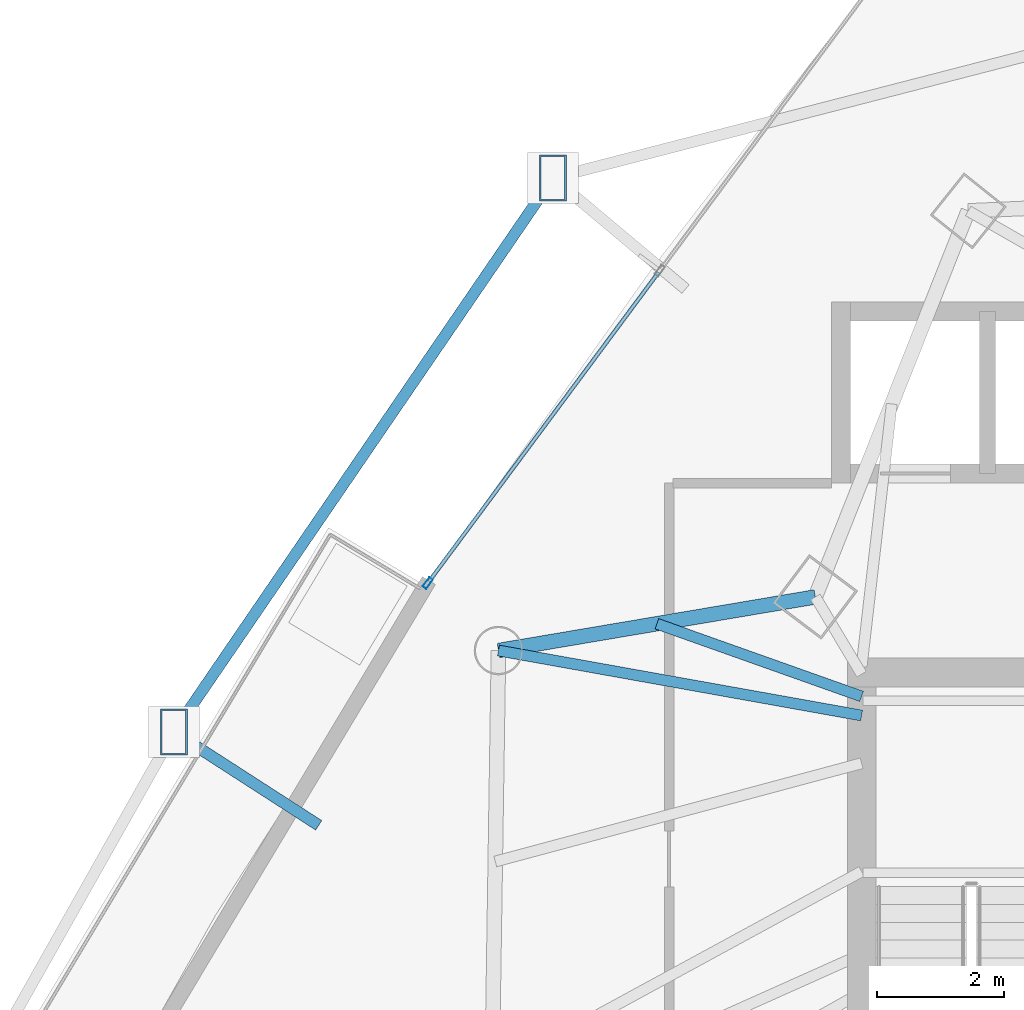
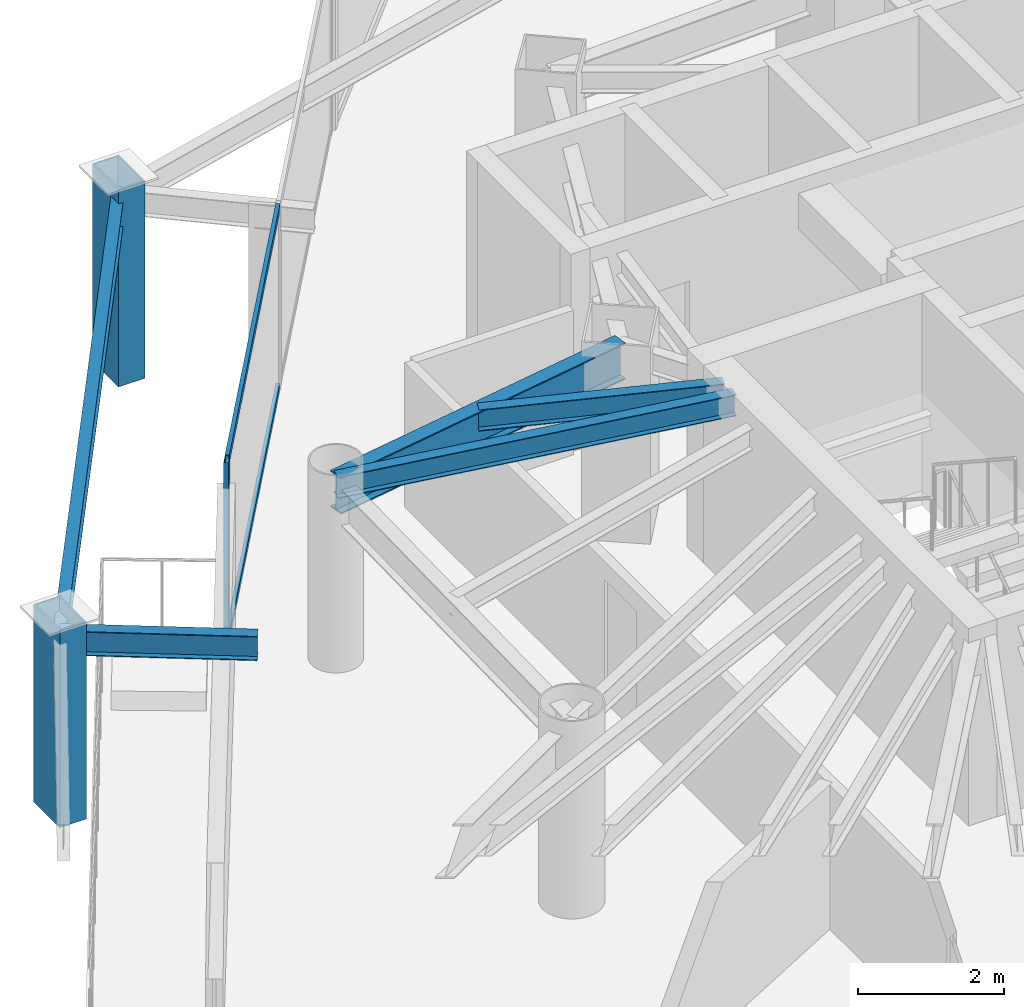
# One storey, part 20 of 34: 5 beams, 5 members, 1 element without a shape of its own.
"""IFC4 building model written with IfcOpenShell, lengths in metres."""

from ifc_helpers import new_model, si_unit, direction, frame, origin, origin_2d, place, context, subcontext, project, spatial, hollow_rectangle, i_section, extrude, material, layer, layer_set, material_profile, profile_set, type_object, element, aggregate, save


model = new_model("IFC4")

# Units and contexts
model_context = context("Model", 3, precision=1e-05, world=origin(), true_north=direction((0.0, 1.0)))
body_context = subcontext(model_context, "Body", "Model", "MODEL_VIEW")
ifc_project = project(units=[si_unit("LENGTHUNIT", "METRE"), si_unit("AREAUNIT", "SQUARE_METRE"), si_unit("VOLUMEUNIT", "CUBIC_METRE"), si_unit("PLANEANGLEUNIT", "RADIAN"), si_unit("MASSUNIT", "GRAM", prefix="KILO")], contexts=[model_context])

# Site, building, storey
site_placement = place(None, origin())
site = spatial("IfcSite", under=ifc_project, at=site_placement, CompositionType="ELEMENT")
building_placement = place(site_placement, origin())
building = spatial("IfcBuilding", under=site, at=building_placement, Name="Orvanel Arch Residences", CompositionType="ELEMENT")
storey_placement = place(building_placement, frame((0.0, 0.0, 80.75)))
storey = spatial("IfcBuildingStorey", under=building, at=storey_placement, Name="L22", CompositionType="ELEMENT", Elevation=80.75)

# Beams
ifc_material_1 = material(Name="Structural steel AS/NZS 3679.1 Grade 300 (300 MPa)", Category="steel")
ifc_material_profile_1 = material_profile(ifc_material_1, i_section(OverallWidth=0.1708984375, OverallDepth=0.35595703125, WebThickness=0.00732421875, FlangeThickness=0.011474609375, at=origin_2d()), Name="360UB50.7")
ifc_profile_set_1 = profile_set([ifc_material_profile_1], Name="Structural steel AS/NZS 3679.1 Grade 300 (300 MPa)")
beam_type_1 = type_object("IfcBeamType", Name="BJ-360UB", PredefinedType="JOIST", material=ifc_profile_set_1)
beam_1_placement = place(storey_placement, frame((26.375, 33.25, 2.882080078125), z_axis=(-0.984360855662, 0.176163860766, 0.0), x_axis=(-0.176163860766, -0.984360855662, 0.0)))
element("IfcBeam", 1, at=beam_1_placement, inside=storey, type_object=beam_type_1, Name="L22 LW Wing Floor Joist", PredefinedType="JOIST", context=body_context, shape_type="SweptSolid", body=[
    extrude(i_section(OverallWidth=0.1708984375, OverallDepth=0.35595703125, WebThickness=0.00732421875, FlangeThickness=0.011474609375, at=origin_2d()), origin(), (0.0, 0.0, 1.0), 5.795654296875),
])
beam_2_placement = place(storey_placement, frame((26.375, 33.550048828125, 2.882080078125), z_axis=(-0.942366638377, 0.334582006201, 0.0), x_axis=(-0.334582006201, -0.942366638377, 0.0)))
element("IfcBeam", 2, at=beam_2_placement, inside=storey, type_object=beam_type_1, Name="L22 JADD3 Wing Floor Joist", PredefinedType="JOIST", context=body_context, shape_type="SweptSolid", body=[
    extrude(i_section(OverallWidth=0.1708984375, OverallDepth=0.35595703125, WebThickness=0.00732421875, FlangeThickness=0.011474609375, at=origin_2d()), origin(), (0.0, 0.0, 1.0), 3.412841796875),
])

# Members
ifc_material_2 = material(Name="Structural steel AS/NZS 3678 Grade 350", Category="steel")
ifc_material_profile_2 = material_profile(ifc_material_2, hollow_rectangle(XDim=0.419921875, YDim=0.719970703125, WallThickness=0.02490234375, at=origin_2d()), Name="RHS720x420x25")
ifc_profile_set_2 = profile_set([ifc_material_profile_2], Name="Structural steel AS/NZS 3678 Grade 350")
member_type_1 = type_object("IfcMemberType", Name="CH-720RHS-EXT", PredefinedType="CHORD", material=ifc_profile_set_2)
for number, where, z_axis, x_axis, name in (
    (3, (21.52490234375, 41.696044921875, 0.0), (0.0, 0.0, 1.0), (1.0, 0.0, 0.0), "L22 Outer Perimeter Frame Post 01"),
    (4, (15.571044921875, 32.991943359375, 0.0), (0.0, 0.0, 1.0), (1.0, 0.0, 0.0), "L22 Outer Perimeter Frame Post 02"),
):
    element("IfcMember", number, at=place(storey_placement, frame(where, z_axis=z_axis, x_axis=x_axis)), inside=storey, type_object=member_type_1, Name=name, PredefinedType="CHORD", context=body_context, shape_type="SweptSolid", body=[
        extrude(hollow_rectangle(XDim=0.419921875, YDim=0.719970703125, WallThickness=0.02490234375, at=origin_2d()), origin(), (0.0, 0.0, 1.0), 3.300048828125),
    ])

# Curtain wall, member
ifc_material_3 = material(Name="Bronze-anodised aluminium AA6063-T6", Category="aluminium")
ifc_layer = layer(ifc_material_3, 0.179931640625)
ifc_layer_set = layer_set([ifc_layer], Name="Bronze-anodised aluminium AA6063-T6")
curtain_wall_type = type_object("IfcCurtainWallType", Name="CW2-LOW-SYS", PredefinedType="NOTDEFINED", material=ifc_layer_set)
curtain_wall_placement = place(storey_placement, origin())
curtain_wall = element("IfcCurtainWall", 5, at=curtain_wall_placement, inside=storey, type_object=curtain_wall_type, Name="L22 CW2-LOW-SYS Unitised Curtain Wall", PredefinedType="NOTDEFINED")
ifc_material_profile_3 = material_profile(ifc_material_3, hollow_rectangle(XDim=0.070068359375, YDim=0.179931640625, WallThickness=0.00439453125, at=origin_2d()), Name="ALU180x70x4.5")
ifc_profile_set_3 = profile_set([ifc_material_profile_3], Name="Bronze-anodised aluminium AA6063-T6")
member_type_2 = type_object("IfcMemberType", Name="MUL-180x70", PredefinedType="MULLION", material=ifc_profile_set_3)
member_1_placement = place(storey_placement, frame((19.558837890625, 35.330078125, 0.0), z_axis=(0.0, 0.0, 1.0), x_axis=(0.802859489606, -0.596168298343, 0.0)))
member_1 = element("IfcMember", 6, at=member_1_placement, type_object=member_type_2, Name="CW-S2 mullion 3", PredefinedType="MULLION", context=body_context, shape_type="SweptSolid", body=[
    extrude(hollow_rectangle(XDim=0.070068359375, YDim=0.179931640625, WallThickness=0.00439453125, at=origin_2d()), origin(), (0.0, 0.0, 1.0), 3.06005859375),
])

# Beams
ifc_material_profile_4 = material_profile(ifc_material_1, i_section(OverallWidth=0.177978515625, OverallDepth=0.406005859375, WebThickness=0.0078125, FlangeThickness=0.0126953125, at=origin_2d()), Name="410UB59.7")
ifc_profile_set_4 = profile_set([ifc_material_profile_4], Name="Structural steel AS/NZS 3679.1 Grade 300 (300 MPa)")
beam_type_2 = type_object("IfcBeamType", Name="OB-410UB-EXT", PredefinedType="SPANDREL", material=ifc_profile_set_4)
beam_3_placement = place(storey_placement, frame((21.52490234375, 41.696044921875, 2.85693359375), z_axis=(-0.564581828757, -0.825377100868, 0.0), x_axis=(0.825377100868, -0.564581828757, 0.0)))
element("IfcBeam", 7, at=beam_3_placement, inside=storey, type_object=beam_type_2, Name="L22 Outer Perimeter Floor Ring Beam 01", PredefinedType="SPANDREL", context=body_context, shape_type="SweptSolid", body=[
    extrude(i_section(OverallWidth=0.177978515625, OverallDepth=0.406005859375, WebThickness=0.0078125, FlangeThickness=0.0126953125, at=origin_2d()), origin(), (0.0, 0.0, 1.0), 10.545654296875),
])
beam_4_placement = place(storey_placement, frame((17.845947265625, 31.52490234375, 2.85693359375), z_axis=(-0.840403986751, 0.541960458938, 0.0), x_axis=(-0.541960458938, -0.840403986751, 0.0)))
element("IfcBeam", 8, at=beam_4_placement, inside=storey, type_object=beam_type_2, Name="L22 Outer Frame Radial Tie Beam 02", PredefinedType="SPANDREL", context=body_context, shape_type="SweptSolid", body=[
    extrude(i_section(OverallWidth=0.177978515625, OverallDepth=0.406005859375, WebThickness=0.0078125, FlangeThickness=0.0126953125, at=origin_2d()), origin(), (0.0, 0.0, 1.0), 2.70703125),
])
ifc_material_profile_5 = material_profile(ifc_material_1, i_section(OverallWidth=0.22900390625, OverallDepth=0.612060546875, WebThickness=0.011962890625, FlangeThickness=0.01953125, at=origin_2d()), Name="610UB125")
ifc_profile_set_5 = profile_set([ifc_material_profile_5], Name="Structural steel AS/NZS 3679.1 Grade 300 (300 MPa)")
beam_type_3 = type_object("IfcBeamType", Name="SP-610UB", PredefinedType="SPANDREL", material=ifc_profile_set_5)
beam_5_placement = place(storey_placement, frame((25.64794921875, 35.113037109375, 2.75390625), z_axis=(-0.985993733897, -0.166782363326, 0.0), x_axis=(0.166782363326, -0.985993733897, 0.0)))
element("IfcBeam", 9, at=beam_5_placement, inside=storey, type_object=beam_type_3, Name="L22 Perimeter Spandrel Beam 19", PredefinedType="SPANDREL", context=body_context, shape_type="SweptSolid", body=[
    extrude(i_section(OverallWidth=0.22900390625, OverallDepth=0.612060546875, WebThickness=0.011962890625, FlangeThickness=0.01953125, at=origin_2d()), origin(), (0.0, 0.0, 1.0), 5.048828125),
])

# Member
ifc_material_profile_6 = material_profile(ifc_material_3, hollow_rectangle(XDim=0.06005859375, YDim=0.135009765625, WallThickness=0.00390625, at=origin_2d()), Name="ALU135x60x4")
ifc_profile_set_6 = profile_set([ifc_material_profile_6], Name="Bronze-anodised aluminium AA6063-T6")
member_type_3 = type_object("IfcMemberType", Name="TRN-135x60", PredefinedType="USERDEFINED", material=ifc_profile_set_6)
member_2_placement = place(storey_placement, frame((23.18310546875, 40.2109375, 0.030029296875), z_axis=(-0.596147736106, -0.802874757814, 0.0), x_axis=(0.802874757814, -0.596147736106, 0.0)))
member_2 = element("IfcMember", 10, at=member_2_placement, type_object=member_type_3, Name="CW-S2 transom 2.1", ObjectType="TRANSOM", PredefinedType="USERDEFINED", context=body_context, shape_type="SweptSolid", body=[
    extrude(hollow_rectangle(XDim=0.06005859375, YDim=0.135009765625, WallThickness=0.00390625, at=origin_2d()), origin(), (0.0, 0.0, 1.0), 6.044189453125),
])

member_3_placement = place(storey_placement, frame((23.18310546875, 40.2109375, 3.030029296875), z_axis=(-0.596147736106, -0.802874757814, 0.0), x_axis=(0.802874757814, -0.596147736106, 0.0)))
member_3 = element("IfcMember", 11, at=member_3_placement, type_object=member_type_3, Name="CW-S2 transom 2.2", ObjectType="TRANSOM", PredefinedType="USERDEFINED", context=body_context, shape_type="SweptSolid", body=[
    extrude(hollow_rectangle(XDim=0.06005859375, YDim=0.135009765625, WallThickness=0.00390625, at=origin_2d()), origin(), (0.0, 0.0, 1.0), 6.044189453125),
])

aggregate(curtain_wall, [member_1, member_2, member_3])

save(model, "model.ifc")
